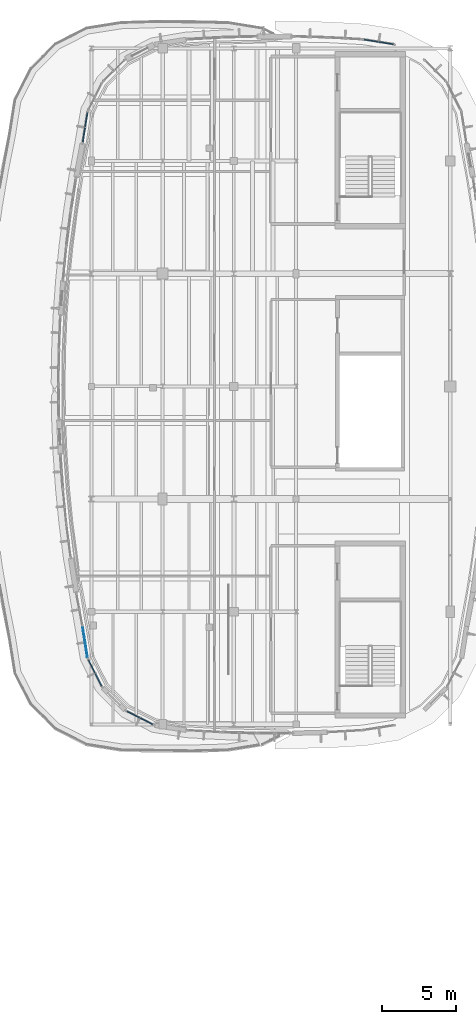
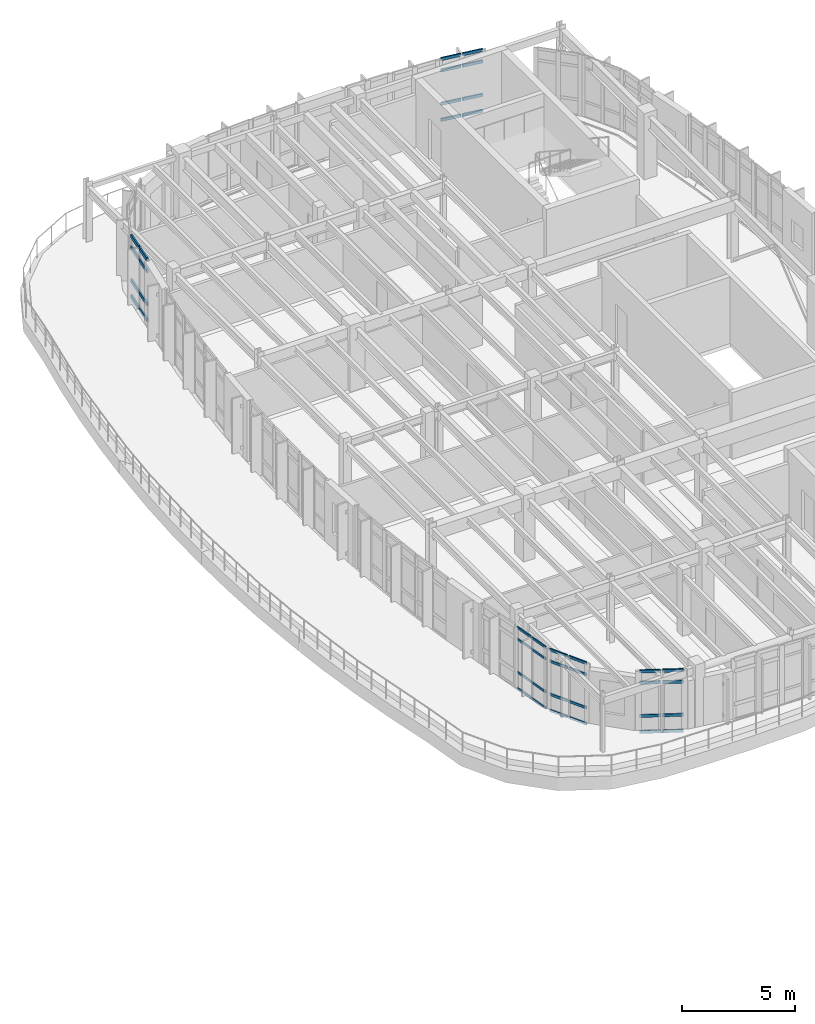
# One storey, part 16 of 30: 40 members, 5 elements without a shape of their own.
"""IFC4 building model written with IfcOpenShell, lengths in metres."""

from ifc_helpers import new_model, si_unit, direction, frame, origin, origin_2d, place, context, subcontext, project, spatial, rectangle, extrude, material, material_profile, profile_set, type_object, element, aggregate, save


model = new_model("IFC4")

# Units and contexts
model_context = context("Model", 3, precision=1e-05, world=origin(), true_north=direction((0.0, 1.0)))
body_context = subcontext(model_context, "Body", "Model", "MODEL_VIEW")
ifc_project = project(units=[si_unit("LENGTHUNIT", "METRE"), si_unit("AREAUNIT", "SQUARE_METRE"), si_unit("VOLUMEUNIT", "CUBIC_METRE"), si_unit("PLANEANGLEUNIT", "RADIAN"), si_unit("MASSUNIT", "GRAM", prefix="KILO")], contexts=[model_context])

# Site, building, storey
site_placement = place(None, origin())
site = spatial("IfcSite", under=ifc_project, at=site_placement, CompositionType="ELEMENT")
building_placement = place(site_placement, origin())
building = spatial("IfcBuilding", under=site, at=building_placement, Name="Corveleigh Park Community Centre", CompositionType="ELEMENT")
storey_placement = place(building_placement, frame((0.0, 0.0, 12.60009765625)))
storey = spatial("IfcBuildingStorey", under=building, at=storey_placement, Name="L03", CompositionType="ELEMENT", Elevation=12.60009765625)

# Curtain wall, members
ifc_material = material(Name="Anodised aluminium 6063-T6", Category="aluminium")
curtain_wall_type = type_object("IfcCurtainWallType", Name="CW-SYS-V4-L03", PredefinedType="NOTDEFINED", material=ifc_material)
curtain_wall_1_placement = place(storey_placement, origin())
curtain_wall_1 = element("IfcCurtainWall", 1, at=curtain_wall_1_placement, inside=storey, type_object=curtain_wall_type, Name="V4 L03 Curtain Wall 436", PredefinedType="NOTDEFINED")
ifc_material_profile_1 = material_profile(ifc_material, rectangle(XDim=0.06005859375, YDim=0.1201171875, at=origin_2d()), Name="ALU-T60x120", Category="aluminium")
ifc_profile_set_1 = profile_set([ifc_material_profile_1], Name="Anodised aluminium 6063-T6")
member_type_1 = type_object("IfcMemberType", Name="CWT-60x120", PredefinedType="USERDEFINED", material=ifc_profile_set_1)
member_1_placement = place(storey_placement, frame((143.92529296875, 63.149169921875, 0.02978515625), z_axis=(-0.15687794907, 0.987617997555, 0.0), x_axis=(-0.987617997555, -0.15687794907, 0.0)))
member_1 = element("IfcMember", 2, at=member_1_placement, type_object=member_type_1, Name="CW09 transom 1.1", ObjectType="TRANSOM", PredefinedType="USERDEFINED", context=body_context, shape_type="SweptSolid", body=[
    extrude(rectangle(XDim=0.06005859375, YDim=0.1201171875, at=origin_2d()), origin(), (0.0, 0.0, 1.0), 0.958740234375),
])
member_2_placement = place(storey_placement, frame((143.92529296875, 63.149169921875, 0.89990234375), z_axis=(-0.15687794907, 0.987617997555, 0.0), x_axis=(-0.987617997555, -0.15687794907, 0.0)))
member_2 = element("IfcMember", 3, at=member_2_placement, type_object=member_type_1, Name="CW09 transom 1.2", ObjectType="TRANSOM", PredefinedType="USERDEFINED", context=body_context, shape_type="SweptSolid", body=[
    extrude(rectangle(XDim=0.06005859375, YDim=0.1201171875, at=origin_2d()), origin(), (0.0, 0.0, 1.0), 0.958740234375),
])
member_3_placement = place(storey_placement, frame((143.92529296875, 63.149169921875, 2.68701171875), z_axis=(-0.15687794907, 0.987617997555, 0.0), x_axis=(-0.987617997555, -0.15687794907, 0.0)))
member_3 = element("IfcMember", 4, at=member_3_placement, type_object=member_type_1, Name="CW09 transom 1.3", ObjectType="TRANSOM", PredefinedType="USERDEFINED", context=body_context, shape_type="SweptSolid", body=[
    extrude(rectangle(XDim=0.06005859375, YDim=0.1201171875, at=origin_2d()), origin(), (0.0, 0.0, 1.0), 0.958740234375),
])
member_4_placement = place(storey_placement, frame((143.92529296875, 63.149169921875, 3.306884765625), z_axis=(-0.15687794907, 0.987617997555, 0.0), x_axis=(-0.987617997555, -0.15687794907, 0.0)))
member_4 = element("IfcMember", 5, at=member_4_placement, type_object=member_type_1, Name="CW09 transom 1.4", ObjectType="TRANSOM", PredefinedType="USERDEFINED", context=body_context, shape_type="SweptSolid", body=[
    extrude(rectangle(XDim=0.06005859375, YDim=0.1201171875, at=origin_2d()), origin(), (0.0, 0.0, 1.0), 0.958740234375),
])
member_5_placement = place(storey_placement, frame((143.76318359375, 64.169921875, 0.02978515625), z_axis=(-0.156838501138, 0.987624262845, 0.0), x_axis=(-0.987624262845, -0.156838501138, 0.0)))
member_5 = element("IfcMember", 6, at=member_5_placement, type_object=member_type_1, Name="CW09 transom 2.1", ObjectType="TRANSOM", PredefinedType="USERDEFINED", context=body_context, shape_type="SweptSolid", body=[
    extrude(rectangle(XDim=0.06005859375, YDim=0.1201171875, at=origin_2d()), origin(), (0.0, 0.0, 1.0), 0.958984375),
])
member_6_placement = place(storey_placement, frame((143.76318359375, 64.169921875, 0.89990234375), z_axis=(-0.156838501138, 0.987624262845, 0.0), x_axis=(-0.987624262845, -0.156838501138, 0.0)))
member_6 = element("IfcMember", 7, at=member_6_placement, type_object=member_type_1, Name="CW09 transom 2.2", ObjectType="TRANSOM", PredefinedType="USERDEFINED", context=body_context, shape_type="SweptSolid", body=[
    extrude(rectangle(XDim=0.06005859375, YDim=0.1201171875, at=origin_2d()), origin(), (0.0, 0.0, 1.0), 0.958984375),
])
member_7_placement = place(storey_placement, frame((143.76318359375, 64.169921875, 2.68701171875), z_axis=(-0.156838501138, 0.987624262845, 0.0), x_axis=(-0.987624262845, -0.156838501138, 0.0)))
member_7 = element("IfcMember", 8, at=member_7_placement, type_object=member_type_1, Name="CW09 transom 2.3", ObjectType="TRANSOM", PredefinedType="USERDEFINED", context=body_context, shape_type="SweptSolid", body=[
    extrude(rectangle(XDim=0.06005859375, YDim=0.1201171875, at=origin_2d()), origin(), (0.0, 0.0, 1.0), 0.958984375),
])
member_8_placement = place(storey_placement, frame((143.76318359375, 64.169921875, 3.306884765625), z_axis=(-0.156838501138, 0.987624262845, 0.0), x_axis=(-0.987624262845, -0.156838501138, 0.0)))
member_8 = element("IfcMember", 9, at=member_8_placement, type_object=member_type_1, Name="CW09 transom 2.4", ObjectType="TRANSOM", PredefinedType="USERDEFINED", context=body_context, shape_type="SweptSolid", body=[
    extrude(rectangle(XDim=0.06005859375, YDim=0.1201171875, at=origin_2d()), origin(), (0.0, 0.0, 1.0), 0.958984375),
])
aggregate(curtain_wall_1, [member_1, member_2, member_3, member_4, member_5, member_6, member_7, member_8])

curtain_wall_2_placement = place(storey_placement, origin())
curtain_wall_2 = element("IfcCurtainWall", 10, at=curtain_wall_2_placement, inside=storey, type_object=curtain_wall_type, Name="V4 L03 Curtain Wall 437", PredefinedType="NOTDEFINED")
ifc_material_profile_2 = material_profile(ifc_material, rectangle(XDim=0.06494140625, YDim=0.139892578125, at=origin_2d()), Name="ALU-T65x140", Category="aluminium")
ifc_profile_set_2 = profile_set([ifc_material_profile_2], Name="Anodised aluminium 6063-T6")
member_type_2 = type_object("IfcMemberType", Name="CWT-65x140", PredefinedType="USERDEFINED", material=ifc_profile_set_2)
member_9_placement = place(storey_placement, frame((144.883544921875, 61.191162109375, 0.032470703125), z_axis=(-0.453976531921, 0.891013641009, 0.0), x_axis=(-0.891013641009, -0.453976531921, 0.0)))
member_9 = element("IfcMember", 11, at=member_9_placement, type_object=member_type_2, Name="CW09 transom 1.1", ObjectType="TRANSOM", PredefinedType="USERDEFINED", context=body_context, shape_type="SweptSolid", body=[
    extrude(rectangle(XDim=0.06494140625, YDim=0.139892578125, at=origin_2d()), origin(), (0.0, 0.0, 1.0), 0.936767578125),
])
member_10_placement = place(storey_placement, frame((144.883544921875, 61.191162109375, 0.89990234375), z_axis=(-0.453976531921, 0.891013641009, 0.0), x_axis=(-0.891013641009, -0.453976531921, 0.0)))
member_10 = element("IfcMember", 12, at=member_10_placement, type_object=member_type_2, Name="CW09 transom 1.2", ObjectType="TRANSOM", PredefinedType="USERDEFINED", context=body_context, shape_type="SweptSolid", body=[
    extrude(rectangle(XDim=0.06494140625, YDim=0.139892578125, at=origin_2d()), origin(), (0.0, 0.0, 1.0), 0.936767578125),
])
member_11_placement = place(storey_placement, frame((144.883544921875, 61.191162109375, 2.68701171875), z_axis=(-0.453976531921, 0.891013641009, 0.0), x_axis=(-0.891013641009, -0.453976531921, 0.0)))
member_11 = element("IfcMember", 13, at=member_11_placement, type_object=member_type_2, Name="CW09 transom 1.3", ObjectType="TRANSOM", PredefinedType="USERDEFINED", context=body_context, shape_type="SweptSolid", body=[
    extrude(rectangle(XDim=0.06494140625, YDim=0.139892578125, at=origin_2d()), origin(), (0.0, 0.0, 1.0), 0.936767578125),
])
member_12_placement = place(storey_placement, frame((144.883544921875, 61.191162109375, 3.304443359375), z_axis=(-0.453976531921, 0.891013641009, 0.0), x_axis=(-0.891013641009, -0.453976531921, 0.0)))
member_12 = element("IfcMember", 14, at=member_12_placement, type_object=member_type_2, Name="CW09 transom 1.4", ObjectType="TRANSOM", PredefinedType="USERDEFINED", context=body_context, shape_type="SweptSolid", body=[
    extrude(rectangle(XDim=0.06494140625, YDim=0.139892578125, at=origin_2d()), origin(), (0.0, 0.0, 1.0), 0.936767578125),
])
member_13_placement = place(storey_placement, frame((144.421875, 62.09716796875, 0.032470703125), z_axis=(-0.454288851615, 0.890854443385, 0.0), x_axis=(-0.890854443385, -0.454288851615, 0.0)))
member_13 = element("IfcMember", 15, at=member_13_placement, type_object=member_type_2, Name="CW09 transom 2.1", ObjectType="TRANSOM", PredefinedType="USERDEFINED", context=body_context, shape_type="SweptSolid", body=[
    extrude(rectangle(XDim=0.06494140625, YDim=0.139892578125, at=origin_2d()), origin(), (0.0, 0.0, 1.0), 0.936767578125),
])
member_14_placement = place(storey_placement, frame((144.421875, 62.09716796875, 0.89990234375), z_axis=(-0.454288851615, 0.890854443385, 0.0), x_axis=(-0.890854443385, -0.454288851615, 0.0)))
member_14 = element("IfcMember", 16, at=member_14_placement, type_object=member_type_2, Name="CW09 transom 2.2", ObjectType="TRANSOM", PredefinedType="USERDEFINED", context=body_context, shape_type="SweptSolid", body=[
    extrude(rectangle(XDim=0.06494140625, YDim=0.139892578125, at=origin_2d()), origin(), (0.0, 0.0, 1.0), 0.936767578125),
])
member_15_placement = place(storey_placement, frame((144.421875, 62.09716796875, 2.68701171875), z_axis=(-0.454288851615, 0.890854443385, 0.0), x_axis=(-0.890854443385, -0.454288851615, 0.0)))
member_15 = element("IfcMember", 17, at=member_15_placement, type_object=member_type_2, Name="CW09 transom 2.3", ObjectType="TRANSOM", PredefinedType="USERDEFINED", context=body_context, shape_type="SweptSolid", body=[
    extrude(rectangle(XDim=0.06494140625, YDim=0.139892578125, at=origin_2d()), origin(), (0.0, 0.0, 1.0), 0.936767578125),
])
member_16_placement = place(storey_placement, frame((144.421875, 62.09716796875, 3.304443359375), z_axis=(-0.454288851615, 0.890854443385, 0.0), x_axis=(-0.890854443385, -0.454288851615, 0.0)))
member_16 = element("IfcMember", 18, at=member_16_placement, type_object=member_type_2, Name="CW09 transom 2.4", ObjectType="TRANSOM", PredefinedType="USERDEFINED", context=body_context, shape_type="SweptSolid", body=[
    extrude(rectangle(XDim=0.06494140625, YDim=0.139892578125, at=origin_2d()), origin(), (0.0, 0.0, 1.0), 0.936767578125),
])
aggregate(curtain_wall_2, [member_9, member_10, member_11, member_12, member_13, member_14, member_15, member_16])

curtain_wall_3_placement = place(storey_placement, origin())
curtain_wall_3 = element("IfcCurtainWall", 19, at=curtain_wall_3_placement, inside=storey, type_object=curtain_wall_type, Name="V4 L03 Curtain Wall 418", PredefinedType="NOTDEFINED")
ifc_material_profile_3 = material_profile(ifc_material, rectangle(XDim=0.070068359375, YDim=0.155029296875, at=origin_2d()), Name="ALU-T70x155", Category="aluminium")
ifc_profile_set_3 = profile_set([ifc_material_profile_3], Name="Anodised aluminium 6063-T6")
member_type_3 = type_object("IfcMemberType", Name="CWT-70x155", PredefinedType="USERDEFINED", material=ifc_profile_set_3)
member_17_placement = place(storey_placement, frame((162.590087890625, 104.78515625, 0.034912109375), z_axis=(0.987727705585, -0.156185721561, 0.0), x_axis=(0.156185721561, 0.987727705585, 0.0)))
member_17 = element("IfcMember", 20, at=member_17_placement, type_object=member_type_3, Name="CW09 transom 1.1", ObjectType="TRANSOM", PredefinedType="USERDEFINED", context=body_context, shape_type="SweptSolid", body=[
    extrude(rectangle(XDim=0.070068359375, YDim=0.155029296875, at=origin_2d()), origin(), (0.0, 0.0, 1.0), 0.955078125),
])
member_18_placement = place(storey_placement, frame((162.590087890625, 104.78515625, 0.89990234375), z_axis=(0.987727705585, -0.156185721561, 0.0), x_axis=(0.156185721561, 0.987727705585, 0.0)))
member_18 = element("IfcMember", 21, at=member_18_placement, type_object=member_type_3, Name="CW09 transom 1.2", ObjectType="TRANSOM", PredefinedType="USERDEFINED", context=body_context, shape_type="SweptSolid", body=[
    extrude(rectangle(XDim=0.070068359375, YDim=0.155029296875, at=origin_2d()), origin(), (0.0, 0.0, 1.0), 0.955078125),
])
member_19_placement = place(storey_placement, frame((162.590087890625, 104.78515625, 2.706787109375), z_axis=(0.987727705585, -0.156185721561, 0.0), x_axis=(0.156185721561, 0.987727705585, 0.0)))
member_19 = element("IfcMember", 22, at=member_19_placement, type_object=member_type_3, Name="CW09 transom 1.3", ObjectType="TRANSOM", PredefinedType="USERDEFINED", context=body_context, shape_type="SweptSolid", body=[
    extrude(rectangle(XDim=0.070068359375, YDim=0.155029296875, at=origin_2d()), origin(), (0.0, 0.0, 1.0), 0.955078125),
])
member_20_placement = place(storey_placement, frame((162.590087890625, 104.78515625, 3.322021484375), z_axis=(0.987727705585, -0.156185721561, 0.0), x_axis=(0.156185721561, 0.987727705585, 0.0)))
member_20 = element("IfcMember", 23, at=member_20_placement, type_object=member_type_3, Name="CW09 transom 1.4", ObjectType="TRANSOM", PredefinedType="USERDEFINED", context=body_context, shape_type="SweptSolid", body=[
    extrude(rectangle(XDim=0.070068359375, YDim=0.155029296875, at=origin_2d()), origin(), (0.0, 0.0, 1.0), 0.955078125),
])
member_21_placement = place(storey_placement, frame((163.607421875, 104.6240234375, 0.034912109375), z_axis=(0.987733938889, -0.156146296678, 0.0), x_axis=(0.156146296678, 0.987733938889, 0.0)))
member_21 = element("IfcMember", 24, at=member_21_placement, type_object=member_type_3, Name="CW09 transom 2.1", ObjectType="TRANSOM", PredefinedType="USERDEFINED", context=body_context, shape_type="SweptSolid", body=[
    extrude(rectangle(XDim=0.070068359375, YDim=0.155029296875, at=origin_2d()), origin(), (0.0, 0.0, 1.0), 0.955322265625),
])
member_22_placement = place(storey_placement, frame((163.607421875, 104.6240234375, 0.89990234375), z_axis=(0.987733938889, -0.156146296678, 0.0), x_axis=(0.156146296678, 0.987733938889, 0.0)))
member_22 = element("IfcMember", 25, at=member_22_placement, type_object=member_type_3, Name="CW09 transom 2.2", ObjectType="TRANSOM", PredefinedType="USERDEFINED", context=body_context, shape_type="SweptSolid", body=[
    extrude(rectangle(XDim=0.070068359375, YDim=0.155029296875, at=origin_2d()), origin(), (0.0, 0.0, 1.0), 0.955322265625),
])
member_23_placement = place(storey_placement, frame((163.607421875, 104.6240234375, 2.706787109375), z_axis=(0.987733938889, -0.156146296678, 0.0), x_axis=(0.156146296678, 0.987733938889, 0.0)))
member_23 = element("IfcMember", 26, at=member_23_placement, type_object=member_type_3, Name="CW09 transom 2.3", ObjectType="TRANSOM", PredefinedType="USERDEFINED", context=body_context, shape_type="SweptSolid", body=[
    extrude(rectangle(XDim=0.070068359375, YDim=0.155029296875, at=origin_2d()), origin(), (0.0, 0.0, 1.0), 0.955322265625),
])
member_24_placement = place(storey_placement, frame((163.607421875, 104.6240234375, 3.322021484375), z_axis=(0.987733938889, -0.156146296678, 0.0), x_axis=(0.156146296678, 0.987733938889, 0.0)))
member_24 = element("IfcMember", 27, at=member_24_placement, type_object=member_type_3, Name="CW09 transom 2.4", ObjectType="TRANSOM", PredefinedType="USERDEFINED", context=body_context, shape_type="SweptSolid", body=[
    extrude(rectangle(XDim=0.070068359375, YDim=0.155029296875, at=origin_2d()), origin(), (0.0, 0.0, 1.0), 0.955322265625),
])
aggregate(curtain_wall_3, [member_17, member_18, member_19, member_20, member_21, member_22, member_23, member_24])

curtain_wall_4_placement = place(storey_placement, origin())
curtain_wall_4 = element("IfcCurtainWall", 28, at=curtain_wall_4_placement, inside=storey, type_object=curtain_wall_type, Name="V4 L03 Curtain Wall 438", PredefinedType="NOTDEFINED")
member_25_placement = place(storey_placement, frame((148.327392578125, 58.5986328125, 0.034912109375), z_axis=(-0.8909332366, 0.454134306038, 0.0), x_axis=(-0.454134306038, -0.8909332366, 0.0)))
member_25 = element("IfcMember", 29, at=member_25_placement, type_object=member_type_3, Name="CW09 transom 1.1", ObjectType="TRANSOM", PredefinedType="USERDEFINED", context=body_context, shape_type="SweptSolid", body=[
    extrude(rectangle(XDim=0.070068359375, YDim=0.155029296875, at=origin_2d()), origin(), (0.0, 0.0, 1.0), 0.929443359375),
])
member_26_placement = place(storey_placement, frame((148.327392578125, 58.5986328125, 0.89990234375), z_axis=(-0.8909332366, 0.454134306038, 0.0), x_axis=(-0.454134306038, -0.8909332366, 0.0)))
member_26 = element("IfcMember", 30, at=member_26_placement, type_object=member_type_3, Name="CW09 transom 1.2", ObjectType="TRANSOM", PredefinedType="USERDEFINED", context=body_context, shape_type="SweptSolid", body=[
    extrude(rectangle(XDim=0.070068359375, YDim=0.155029296875, at=origin_2d()), origin(), (0.0, 0.0, 1.0), 0.929443359375),
])
member_27_placement = place(storey_placement, frame((148.327392578125, 58.5986328125, 2.68701171875), z_axis=(-0.8909332366, 0.454134306038, 0.0), x_axis=(-0.454134306038, -0.8909332366, 0.0)))
member_27 = element("IfcMember", 31, at=member_27_placement, type_object=member_type_3, Name="CW09 transom 1.3", ObjectType="TRANSOM", PredefinedType="USERDEFINED", context=body_context, shape_type="SweptSolid", body=[
    extrude(rectangle(XDim=0.070068359375, YDim=0.155029296875, at=origin_2d()), origin(), (0.0, 0.0, 1.0), 0.929443359375),
])
member_28_placement = place(storey_placement, frame((148.327392578125, 58.5986328125, 3.302001953125), z_axis=(-0.8909332366, 0.454134306038, 0.0), x_axis=(-0.454134306038, -0.8909332366, 0.0)))
member_28 = element("IfcMember", 32, at=member_28_placement, type_object=member_type_3, Name="CW09 transom 1.4", ObjectType="TRANSOM", PredefinedType="USERDEFINED", context=body_context, shape_type="SweptSolid", body=[
    extrude(rectangle(XDim=0.070068359375, YDim=0.155029296875, at=origin_2d()), origin(), (0.0, 0.0, 1.0), 0.929443359375),
])
member_29_placement = place(storey_placement, frame((147.423583984375, 59.059326171875, 0.034912109375), z_axis=(-0.890879047692, 0.454240599664, 0.0), x_axis=(-0.454240599664, -0.890879047692, 0.0)))
member_29 = element("IfcMember", 33, at=member_29_placement, type_object=member_type_3, Name="CW09 transom 2.1", ObjectType="TRANSOM", PredefinedType="USERDEFINED", context=body_context, shape_type="SweptSolid", body=[
    extrude(rectangle(XDim=0.070068359375, YDim=0.155029296875, at=origin_2d()), origin(), (0.0, 0.0, 1.0), 0.92919921875),
])
member_30_placement = place(storey_placement, frame((147.423583984375, 59.059326171875, 0.89990234375), z_axis=(-0.890879047692, 0.454240599664, 0.0), x_axis=(-0.454240599664, -0.890879047692, 0.0)))
member_30 = element("IfcMember", 34, at=member_30_placement, type_object=member_type_3, Name="CW09 transom 2.2", ObjectType="TRANSOM", PredefinedType="USERDEFINED", context=body_context, shape_type="SweptSolid", body=[
    extrude(rectangle(XDim=0.070068359375, YDim=0.155029296875, at=origin_2d()), origin(), (0.0, 0.0, 1.0), 0.92919921875),
])
member_31_placement = place(storey_placement, frame((147.423583984375, 59.059326171875, 2.68701171875), z_axis=(-0.890879047692, 0.454240599664, 0.0), x_axis=(-0.454240599664, -0.890879047692, 0.0)))
member_31 = element("IfcMember", 35, at=member_31_placement, type_object=member_type_3, Name="CW09 transom 2.3", ObjectType="TRANSOM", PredefinedType="USERDEFINED", context=body_context, shape_type="SweptSolid", body=[
    extrude(rectangle(XDim=0.070068359375, YDim=0.155029296875, at=origin_2d()), origin(), (0.0, 0.0, 1.0), 0.92919921875),
])
member_32_placement = place(storey_placement, frame((147.423583984375, 59.059326171875, 3.302001953125), z_axis=(-0.890879047692, 0.454240599664, 0.0), x_axis=(-0.454240599664, -0.890879047692, 0.0)))
member_32 = element("IfcMember", 36, at=member_32_placement, type_object=member_type_3, Name="CW09 transom 2.4", ObjectType="TRANSOM", PredefinedType="USERDEFINED", context=body_context, shape_type="SweptSolid", body=[
    extrude(rectangle(XDim=0.070068359375, YDim=0.155029296875, at=origin_2d()), origin(), (0.0, 0.0, 1.0), 0.92919921875),
])
aggregate(curtain_wall_4, [member_25, member_26, member_27, member_28, member_29, member_30, member_31, member_32])

curtain_wall_5_placement = place(storey_placement, origin())
curtain_wall_5 = element("IfcCurtainWall", 37, at=curtain_wall_5_placement, inside=storey, type_object=curtain_wall_type, Name="V4 L03 Curtain Wall 425", PredefinedType="NOTDEFINED")
ifc_material_profile_4 = material_profile(ifc_material, rectangle(XDim=0.080078125, YDim=0.195068359375, at=origin_2d()), Name="ALU-T80x195", Category="aluminium")
ifc_profile_set_4 = profile_set([ifc_material_profile_4], Name="Anodised aluminium 6063-T6")
member_type_4 = type_object("IfcMemberType", Name="CWT-80x195", PredefinedType="USERDEFINED", material=ifc_profile_set_4)
member_33_placement = place(storey_placement, frame((143.613525390625, 97.887939453125, 0.039794921875), z_axis=(0.156819203968, 0.987627327116, 0.0), x_axis=(-0.987627327116, 0.156819203968, 0.0)))
member_33 = element("IfcMember", 38, at=member_33_placement, type_object=member_type_4, Name="CW09 transom 1.1", ObjectType="TRANSOM", PredefinedType="USERDEFINED", context=body_context, shape_type="SweptSolid", body=[
    extrude(rectangle(XDim=0.080078125, YDim=0.195068359375, at=origin_2d()), origin(), (0.0, 0.0, 1.0), 0.951171875),
])
member_34_placement = place(storey_placement, frame((143.613525390625, 97.887939453125, 0.89990234375), z_axis=(0.156819203968, 0.987627327116, 0.0), x_axis=(-0.987627327116, 0.156819203968, 0.0)))
member_34 = element("IfcMember", 39, at=member_34_placement, type_object=member_type_4, Name="CW09 transom 1.2", ObjectType="TRANSOM", PredefinedType="USERDEFINED", context=body_context, shape_type="SweptSolid", body=[
    extrude(rectangle(XDim=0.080078125, YDim=0.195068359375, at=origin_2d()), origin(), (0.0, 0.0, 1.0), 0.951171875),
])
member_35_placement = place(storey_placement, frame((143.613525390625, 97.887939453125, 2.68701171875), z_axis=(0.156819203968, 0.987627327116, 0.0), x_axis=(-0.987627327116, 0.156819203968, 0.0)))
member_35 = element("IfcMember", 40, at=member_35_placement, type_object=member_type_4, Name="CW09 transom 1.3", ObjectType="TRANSOM", PredefinedType="USERDEFINED", context=body_context, shape_type="SweptSolid", body=[
    extrude(rectangle(XDim=0.080078125, YDim=0.195068359375, at=origin_2d()), origin(), (0.0, 0.0, 1.0), 0.951171875),
])
member_36_placement = place(storey_placement, frame((143.613525390625, 97.887939453125, 3.296875), z_axis=(0.156819203968, 0.987627327116, 0.0), x_axis=(-0.987627327116, 0.156819203968, 0.0)))
member_36 = element("IfcMember", 41, at=member_36_placement, type_object=member_type_4, Name="CW09 transom 1.4", ObjectType="TRANSOM", PredefinedType="USERDEFINED", context=body_context, shape_type="SweptSolid", body=[
    extrude(rectangle(XDim=0.080078125, YDim=0.195068359375, at=origin_2d()), origin(), (0.0, 0.0, 1.0), 0.951171875),
])
member_37_placement = place(storey_placement, frame((143.775390625, 98.906494140625, 0.039794921875), z_axis=(0.156819203968, 0.987627327116, 0.0), x_axis=(-0.987627327116, 0.156819203968, 0.0)))
member_37 = element("IfcMember", 42, at=member_37_placement, type_object=member_type_4, Name="CW09 transom 2.1", ObjectType="TRANSOM", PredefinedType="USERDEFINED", context=body_context, shape_type="SweptSolid", body=[
    extrude(rectangle(XDim=0.080078125, YDim=0.195068359375, at=origin_2d()), origin(), (0.0, 0.0, 1.0), 0.951171875),
])
member_38_placement = place(storey_placement, frame((143.775390625, 98.906494140625, 0.89990234375), z_axis=(0.156819203968, 0.987627327116, 0.0), x_axis=(-0.987627327116, 0.156819203968, 0.0)))
member_38 = element("IfcMember", 43, at=member_38_placement, type_object=member_type_4, Name="CW09 transom 2.2", ObjectType="TRANSOM", PredefinedType="USERDEFINED", context=body_context, shape_type="SweptSolid", body=[
    extrude(rectangle(XDim=0.080078125, YDim=0.195068359375, at=origin_2d()), origin(), (0.0, 0.0, 1.0), 0.951171875),
])
member_39_placement = place(storey_placement, frame((143.775390625, 98.906494140625, 2.68701171875), z_axis=(0.156819203968, 0.987627327116, 0.0), x_axis=(-0.987627327116, 0.156819203968, 0.0)))
member_39 = element("IfcMember", 44, at=member_39_placement, type_object=member_type_4, Name="CW09 transom 2.3", ObjectType="TRANSOM", PredefinedType="USERDEFINED", context=body_context, shape_type="SweptSolid", body=[
    extrude(rectangle(XDim=0.080078125, YDim=0.195068359375, at=origin_2d()), origin(), (0.0, 0.0, 1.0), 0.951171875),
])
member_40_placement = place(storey_placement, frame((143.775390625, 98.906494140625, 3.296875), z_axis=(0.156819203968, 0.987627327116, 0.0), x_axis=(-0.987627327116, 0.156819203968, 0.0)))
member_40 = element("IfcMember", 45, at=member_40_placement, type_object=member_type_4, Name="CW09 transom 2.4", ObjectType="TRANSOM", PredefinedType="USERDEFINED", context=body_context, shape_type="SweptSolid", body=[
    extrude(rectangle(XDim=0.080078125, YDim=0.195068359375, at=origin_2d()), origin(), (0.0, 0.0, 1.0), 0.951171875),
])
aggregate(curtain_wall_5, [member_33, member_34, member_35, member_36, member_37, member_38, member_39, member_40])

save(model, "model.ifc")
